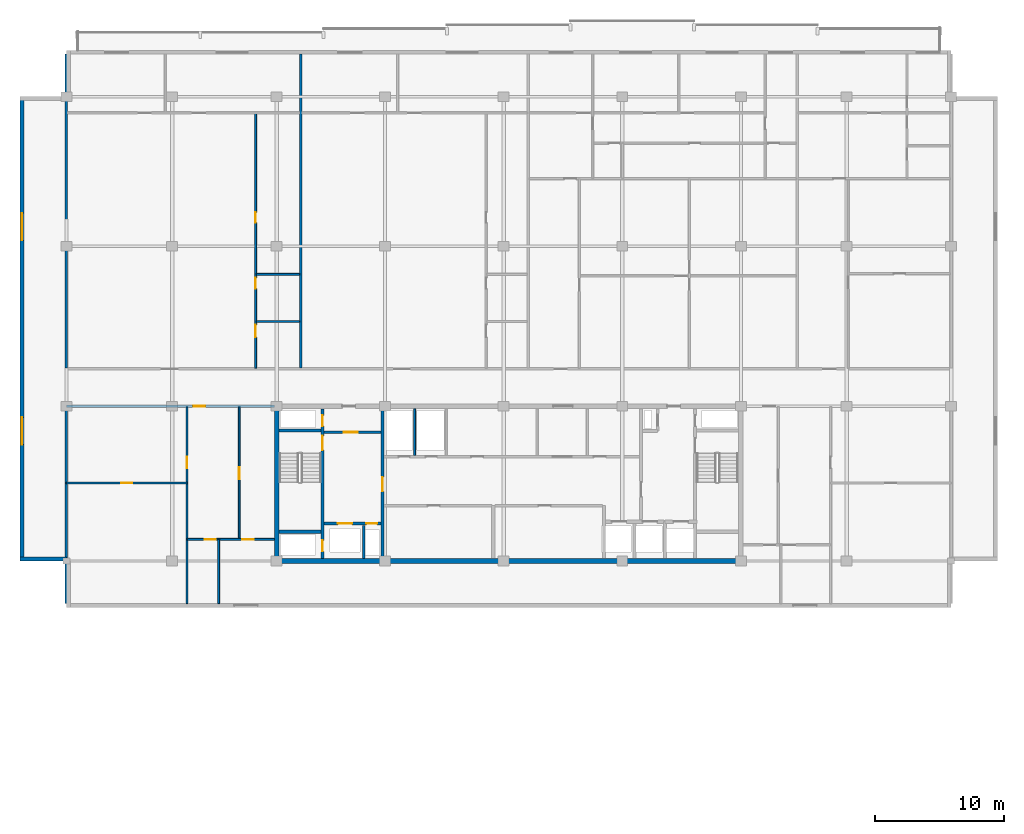
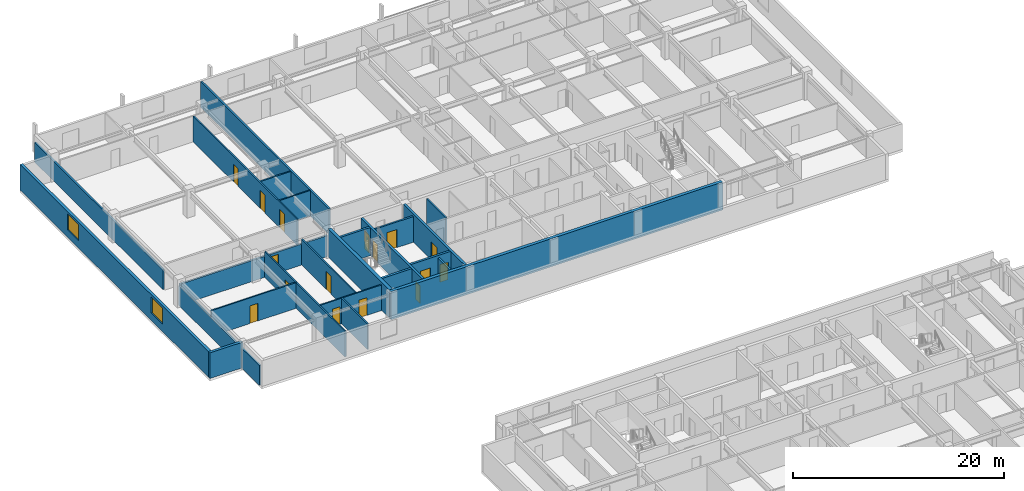
# One storey, part 11 of 22: 24 walls, 16 doors, 2 windows, 18 openings.
"""IFC4 building model written with IfcOpenShell, lengths in metres."""

from ifc_helpers import new_model, si_unit, direction, frame, frame_2d, origin, place, context, subcontext, project, spatial, rectangle, extrude, material, layer, layer_set, type_object, element, fill, save


model = new_model("IFC4")

# Units and contexts
model_context = context("Model", 3, precision=1e-05, world=origin(), true_north=direction((0.0, 1.0)))
body_context = subcontext(model_context, "Body", "Model", "MODEL_VIEW")
ifc_project = project(units=[si_unit("LENGTHUNIT", "METRE"), si_unit("AREAUNIT", "SQUARE_METRE"), si_unit("VOLUMEUNIT", "CUBIC_METRE"), si_unit("PLANEANGLEUNIT", "RADIAN"), si_unit("MASSUNIT", "GRAM", prefix="KILO")], contexts=[model_context])

# Site, building, storey
site_placement = place(None, origin())
site = spatial("IfcSite", under=ifc_project, at=site_placement, CompositionType="ELEMENT")
building_placement = place(site_placement, origin())
building = spatial("IfcBuilding", under=site, at=building_placement, Name="Korimba Cascade Residences", CompositionType="ELEMENT")
storey_placement = place(building_placement, frame((0.0, 0.0, 197.85009765625)))
storey = spatial("IfcBuildingStorey", under=building, at=storey_placement, Name="L57", CompositionType="ELEMENT", Elevation=197.85009765625)

# Wall, openings, windows
ifc_material_1 = material(Name="Precast concrete C40/50", Category="concrete")
ifc_layer_1 = layer(ifc_material_1, 0.300048828125)
ifc_layer_set_1 = layer_set([ifc_layer_1], Name="Precast concrete C40/50")
wall_type_1 = type_object("IfcWallType", Name="EW-STONE-300", PredefinedType="STANDARD", material=ifc_layer_set_1)
wall_1_placement = place(storey_placement, frame((56.35009765625, 91.199951171875, 0.0), z_axis=(0.0, 0.0, 1.0), x_axis=(0.0, -1.0, 0.0)))
wall_1 = element("IfcWall", 1, at=wall_1_placement, inside=storey, type_object=wall_type_1, Name="L57 T1 Perimeter Stone Wall E09", PredefinedType="STANDARD", context=body_context, shape_type="SweptSolid", body=[
    extrude(rectangle(XDim=36.0, YDim=0.300048828125, at=frame_2d((18.0, 0.0))), origin(), (0.0, 0.0, 1.0), 2.969970703125),
])
opening_1_placement = place(wall_1_placement, frame((9.030029296875, 0.0, 0.85009765625)))
opening_1 = element("IfcOpeningElement", 2, at=opening_1_placement, cuts=wall_1, Name="Opening W-03", PredefinedType="OPENING", context=body_context, shape_type="SweptSolid", body=[
    extrude(rectangle(XDim=2.10009765625, YDim=1.85009765625, at=frame_2d((1.050048828125, 0.925048828125))), frame((0.0, 0.16015625, 0.0), z_axis=(0.0, -1.0, 0.0), x_axis=(1.0, 0.0, 0.0)), (0.0, 0.0, 1.0), 0.320068359375),
])
opening_2_placement = place(wall_1_placement, frame((24.8701171875, 0.0, 0.85009765625)))
opening_2 = element("IfcOpeningElement", 3, at=opening_2_placement, cuts=wall_1, Name="Opening W-03", PredefinedType="OPENING", context=body_context, shape_type="SweptSolid", body=[
    extrude(rectangle(XDim=2.10009765625, YDim=1.85009765625, at=frame_2d((1.050048828125, 0.925048828125))), frame((0.0, 0.16015625, 0.0), z_axis=(0.0, -1.0, 0.0), x_axis=(1.0, 0.0, 0.0)), (0.0, 0.0, 1.0), 0.320068359375),
])
ifc_material_2 = material(Name="Double-Glazed Aluminium Window", Category="aluminium")
window_type = type_object("IfcWindowType", Name="WIN-CRN-2100", PartitioningType="DOUBLE_PANEL_HORIZONTAL", PredefinedType="WINDOW", material=ifc_material_2)
window_1_placement = place(opening_1_placement, origin())
window_1 = element("IfcWindow", 4, at=window_1_placement, inside=storey, type_object=window_type, Name="L57 T1 End View Window 9.1", OverallHeight=1.85009765625, OverallWidth=2.10009765625, PartitioningType="DOUBLE_PANEL_HORIZONTAL", PredefinedType="WINDOW", context=body_context, shape_type="SweptSolid", body=[
    extrude(rectangle(XDim=2.10009765625, YDim=1.85009765625, at=frame_2d((1.050048828125, 0.925048828125))), frame((0.0, 0.030029296875, 0.0), z_axis=(0.0, -1.0, 0.0), x_axis=(1.0, 0.0, 0.0)), (0.0, 0.0, 1.0), 0.06005859375),
])
fill(opening_1, window_1)
window_2_placement = place(opening_2_placement, origin())
window_2 = element("IfcWindow", 5, at=window_2_placement, inside=storey, type_object=window_type, Name="L57 T1 End View Window 9.2", OverallHeight=1.85009765625, OverallWidth=2.10009765625, PartitioningType="DOUBLE_PANEL_HORIZONTAL", PredefinedType="WINDOW", context=body_context, shape_type="SweptSolid", body=[
    extrude(rectangle(XDim=2.10009765625, YDim=1.85009765625, at=frame_2d((1.050048828125, 0.925048828125))), frame((0.0, 0.030029296875, 0.0), z_axis=(0.0, -1.0, 0.0), x_axis=(1.0, 0.0, 0.0)), (0.0, 0.0, 1.0), 0.06005859375),
])
fill(opening_2, window_2)

# Walls
wall_2_placement = place(storey_placement, frame((56.199951171875, 55.35009765625, 0.0), z_axis=(0.0, 0.0, 1.0), x_axis=(1.0, 0.0, 0.0)))
element("IfcWall", 6, at=wall_2_placement, inside=storey, type_object=wall_type_1, Name="L57 T1 Perimeter Stone Wall E10", PredefinedType="STANDARD", context=body_context, shape_type="SweptSolid", body=[
    extrude(rectangle(XDim=3.60009765625, YDim=0.300048828125, at=frame_2d((1.800048828125, 0.0))), origin(), (0.0, 0.0, 1.0), 2.969970703125),
])
ifc_material_3 = material(Name="Concrete C65/80", Category="concrete")
ifc_layer_2 = layer(ifc_material_3, 0.35009765625)
ifc_layer_set_2 = layer_set([ifc_layer_2], Name="Concrete C65/80")
wall_type_2 = type_object("IfcWallType", Name="WAL-CORE-350", PredefinedType="SHEAR", material=ifc_layer_set_2)
wall_3_placement = place(storey_placement, frame((75.949951171875, 55.199951171875, 0.0), z_axis=(0.0, 0.0, 1.0), x_axis=(1.0, 0.0, 0.0)))
element("IfcWall", 7, at=wall_3_placement, inside=storey, type_object=wall_type_2, Name="L57 Core Shear Wall CW-L57-T1-S", PredefinedType="SHEAR", context=body_context, shape_type="SweptSolid", body=[
    extrude(rectangle(XDim=36.300048828125, YDim=0.35009765625, at=frame_2d((18.14990234375, 0.0))), origin(), (0.0, 0.0, 1.0), 3.25),
])
wall_4_placement = place(storey_placement, frame((76.125, 55.375, 0.0), z_axis=(0.0, 0.0, 1.0), x_axis=(0.0, 1.0, 0.0)))
element("IfcWall", 8, at=wall_4_placement, inside=storey, type_object=wall_type_2, Name="L57 Core Shear Wall CW-L57-T1-W", PredefinedType="SHEAR", context=body_context, shape_type="SweptSolid", body=[
    extrude(rectangle(XDim=11.64990234375, YDim=0.35009765625, at=frame_2d((5.824951171875, 0.0))), origin(), (0.0, 0.0, 1.0), 3.25),
])
ifc_layer_3 = layer(ifc_material_1, 0.199951171875)
ifc_layer_set_3 = layer_set([ifc_layer_3], Name="Precast concrete C40/50")
wall_type_3 = type_object("IfcWallType", Name="WAL-IT-200", PredefinedType="PARTITIONING", material=ifc_layer_set_3)
wall_5_placement = place(storey_placement, frame((59.800048828125, 51.89990234375, 0.0), z_axis=(0.0, 0.0, 1.0), x_axis=(0.0, 1.0, 0.0)))
element("IfcWall", 9, at=wall_5_placement, inside=storey, type_object=wall_type_3, Name="L57 Partition Wall WAL-L57-T1-FW-WL", PredefinedType="PARTITIONING", context=body_context, shape_type="SweptSolid", body=[
    extrude(rectangle(XDim=15.300048828125, YDim=0.199951171875, at=frame_2d((7.64990234375, 0.0))), origin(), (0.0, 0.0, 1.0), 2.277099609375),
])

# Wall, opening, door
wall_6_placement = place(storey_placement, frame((59.800048828125, 67.199951171875, 0.0), z_axis=(0.0, 0.0, 1.0), x_axis=(1.0, 0.0, 0.0)))
wall_6 = element("IfcWall", 10, at=wall_6_placement, inside=storey, type_object=wall_type_3, Name="L57 Partition Wall WAL-L57-T1-FW-N", PredefinedType="PARTITIONING", context=body_context, shape_type="SweptSolid", body=[
    extrude(rectangle(XDim=16.14990234375, YDim=0.199951171875, at=frame_2d((8.074951171875, 0.0))), origin(), (0.0, 0.0, 1.0), 2.43310546875),
])
opening_3_placement = place(wall_6_placement, frame((9.823486328125, 0.0, 0.0)))
opening_3 = element("IfcOpeningElement", 11, at=opening_3_placement, cuts=wall_6, Name="Opening D-UN1", PredefinedType="OPENING", context=body_context, shape_type="SweptSolid", body=[
    extrude(rectangle(XDim=0.949951171875, YDim=2.14990234375, at=frame_2d((0.47509765625, 1.074951171875))), frame((0.0, 0.10986328125, 0.0), z_axis=(0.0, -1.0, 0.0), x_axis=(1.0, 0.0, 0.0)), (0.0, 0.0, 1.0), 0.219970703125),
])
ifc_material_4 = material(Name="Fire-Rated Hardwood Apartment Entrance Door", Category="wood")
door_type_1 = type_object("IfcDoorType", Name="DR-FD60-950", OperationType="NOTDEFINED", PredefinedType="DOOR", material=ifc_material_4)
door_1_placement = place(opening_3_placement, origin())
door_1 = element("IfcDoor", 12, at=door_1_placement, inside=storey, type_object=door_type_1, Name="L57-T1-FW Entrance Door", OperationType="SINGLE_SWING_LEFT", OverallHeight=2.14990234375, OverallWidth=0.949951171875, PredefinedType="DOOR", context=body_context, shape_type="SweptSolid", body=[
    extrude(rectangle(XDim=0.949951171875, YDim=2.14990234375, at=frame_2d((0.47509765625, 1.074951171875))), frame((0.0, 0.02490234375, 0.0), z_axis=(0.0, -1.0, 0.0), x_axis=(1.0, 0.0, 0.0)), (0.0, 0.0, 1.0), 0.050048828125),
])
fill(opening_3, door_1)

# Walls
wall_7_placement = place(storey_placement, frame((59.800048828125, 70.179931640625, 0.0), z_axis=(0.0, 0.0, 1.0), x_axis=(0.0, 1.0, 0.0)))
element("IfcWall", 13, at=wall_7_placement, inside=storey, type_object=wall_type_3, Name="L57 Partition Wall WAL-L57-T1-BNDWL", PredefinedType="PARTITIONING", context=body_context, shape_type="SweptSolid", body=[
    extrude(rectangle(XDim=24.320068359375, YDim=0.199951171875, at=frame_2d((12.16015625, 0.0))), origin(), (0.0, 0.0, 1.0), 2.277099609375),
])
wall_8_placement = place(storey_placement, frame((77.96826171875, 70.179931640625, 0.0), z_axis=(0.0, 0.0, 1.0), x_axis=(0.0, 1.0, 0.0)))
element("IfcWall", 14, at=wall_8_placement, inside=storey, type_object=wall_type_3, Name="L57 Partition Wall WAL-L57-T1-DEM-1", PredefinedType="PARTITIONING", context=body_context, shape_type="SweptSolid", body=[
    extrude(rectangle(XDim=24.320068359375, YDim=0.199951171875, at=frame_2d((12.16015625, 0.0))), origin(), (0.0, 0.0, 1.0), 2.969970703125),
])
ifc_material_5 = material(Name="Insulated Acoustic Stud Partition", Category="gypsum")
ifc_layer_4 = layer(ifc_material_5, 0.14990234375)
ifc_layer_set_4 = layer_set([ifc_layer_4], Name="Insulated Acoustic Stud Partition")
wall_type_4 = type_object("IfcWallType", Name="WAL-PART-150", PredefinedType="PARTITIONING", material=ifc_layer_set_4)
wall_9_placement = place(storey_placement, frame((86.800048828125, 63.39990234375, 0.0), z_axis=(0.0, 0.0, 1.0), x_axis=(0.0, 1.0, 0.0)))
element("IfcWall", 15, at=wall_9_placement, inside=storey, type_object=wall_type_4, Name="L57 Partition Wall CW-L57-T1-ERDIV", PredefinedType="PARTITIONING", context=body_context, shape_type="SweptSolid", body=[
    extrude(rectangle(XDim=3.60009765625, YDim=0.14990234375, at=frame_2d((1.800048828125, 0.0))), origin(), (0.0, 0.0, 1.0), 2.969970703125),
])

# Wall, opening, door
wall_10_placement = place(storey_placement, frame((59.800048828125, 61.25, 0.0), z_axis=(0.0, 0.0, 1.0), x_axis=(1.0, 0.0, 0.0)))
wall_10 = element("IfcWall", 16, at=wall_10_placement, inside=storey, type_object=wall_type_4, Name="L57 Partition Wall WAL-L57-T1-FW-STH", PredefinedType="PARTITIONING", context=body_context, shape_type="SweptSolid", body=[
    extrude(rectangle(XDim=9.349853515625, YDim=0.14990234375, at=frame_2d((4.6748046875, 0.0))), origin(), (0.0, 0.0, 1.0), 2.969970703125),
])
opening_4_placement = place(wall_10_placement, frame((4.2548828125, 0.0, 0.0)))
opening_4 = element("IfcOpeningElement", 17, at=opening_4_placement, cuts=wall_10, Name="Opening D-BT1", PredefinedType="OPENING", context=body_context, shape_type="SweptSolid", body=[
    extrude(rectangle(XDim=0.840087890625, YDim=2.0400390625, at=frame_2d((0.419921875, 1.02001953125))), frame((0.0, 0.0849609375, 0.0), z_axis=(0.0, -1.0, 0.0), x_axis=(1.0, 0.0, 0.0)), (0.0, 0.0, 1.0), 0.169921875),
])
ifc_material_6 = material(Name="Moisture-Resistant Bathroom Timber Door", Category="wood")
door_type_2 = type_object("IfcDoorType", Name="DR-INT-850", OperationType="NOTDEFINED", PredefinedType="DOOR", material=ifc_material_6)
door_2_placement = place(opening_4_placement, origin())
door_2 = element("IfcDoor", 18, at=door_2_placement, inside=storey, type_object=door_type_2, Name="L57-T1-FW Dressing Store Door", OperationType="SINGLE_SWING_RIGHT", OverallHeight=2.0400390625, OverallWidth=0.840087890625, PredefinedType="DOOR", context=body_context, shape_type="SweptSolid", body=[
    extrude(rectangle(XDim=0.840087890625, YDim=2.0400390625, at=frame_2d((0.419921875, 1.02001953125))), frame((0.0, 0.02490234375, 0.0), z_axis=(0.0, -1.0, 0.0), x_axis=(1.0, 0.0, 0.0)), (0.0, 0.0, 1.0), 0.050048828125),
])
fill(opening_4, door_2)

wall_11_placement = place(storey_placement, frame((69.14990234375, 51.89990234375, 0.0), z_axis=(0.0, 0.0, 1.0), x_axis=(0.0, 1.0, 0.0)))
wall_11 = element("IfcWall", 19, at=wall_11_placement, inside=storey, type_object=wall_type_4, Name="L57 Partition Wall WAL-L57-T1-FW-STV", PredefinedType="PARTITIONING", context=body_context, shape_type="SweptSolid", body=[
    extrude(rectangle(XDim=15.25, YDim=0.14990234375, at=frame_2d((7.625, 0.0))), origin(), (0.0, 0.0, 1.0), 2.969970703125),
])
opening_5_placement = place(wall_11_placement, frame((10.5, 0.0, 0.0)))
opening_5 = element("IfcOpeningElement", 20, at=opening_5_placement, cuts=wall_11, Name="Opening D-IN2", PredefinedType="OPENING", context=body_context, shape_type="SweptSolid", body=[
    extrude(rectangle(XDim=0.8798828125, YDim=2.06005859375, at=frame_2d((0.43994140625, 1.030029296875))), frame((0.0, 0.0849609375, 0.0), z_axis=(0.0, -1.0, 0.0), x_axis=(1.0, 0.0, 0.0)), (0.0, 0.0, 1.0), 0.169921875),
])
ifc_material_7 = material(Name="Acoustic Timber Bedroom Door", Category="wood")
door_type_3 = type_object("IfcDoorType", Name="DR-INT-880", OperationType="NOTDEFINED", PredefinedType="DOOR", material=ifc_material_7)
door_3_placement = place(opening_5_placement, origin())
door_3 = element("IfcDoor", 21, at=door_3_placement, inside=storey, type_object=door_type_3, Name="L57-T1-FW Study Door", OperationType="SINGLE_SWING_LEFT", OverallHeight=2.06005859375, OverallWidth=0.8798828125, PredefinedType="DOOR", context=body_context, shape_type="SweptSolid", body=[
    extrude(rectangle(XDim=0.8798828125, YDim=2.06005859375, at=frame_2d((0.43994140625, 1.030029296875))), frame((0.0, 0.02490234375, 0.0), z_axis=(0.0, -1.0, 0.0), x_axis=(1.0, 0.0, 0.0)), (0.0, 0.0, 1.0), 0.050048828125),
])
fill(opening_5, door_3)

wall_12_placement = place(storey_placement, frame((73.199951171875, 56.8701171875, 0.0), z_axis=(0.0, 0.0, 1.0), x_axis=(0.0, 1.0, 0.0)))
wall_12 = element("IfcWall", 22, at=wall_12_placement, inside=storey, type_object=wall_type_4, Name="L57 Partition Wall WAL-L57-T1-FW-VN", PredefinedType="PARTITIONING", context=body_context, shape_type="SweptSolid", body=[
    extrude(rectangle(XDim=10.27978515625, YDim=0.14990234375, at=frame_2d((5.139892578125, 0.0))), origin(), (0.0, 0.0, 1.0), 2.969970703125),
])
opening_6_placement = place(wall_12_placement, frame((4.679931640625, 0.0, 0.0)))
opening_6 = element("IfcOpeningElement", 23, at=opening_6_placement, cuts=wall_12, Name="Opening D-IN1", PredefinedType="OPENING", context=body_context, shape_type="SweptSolid", body=[
    extrude(rectangle(XDim=0.919921875, YDim=2.080078125, at=frame_2d((0.4599609375, 1.0400390625))), frame((0.0, 0.0849609375, 0.0), z_axis=(0.0, -1.0, 0.0), x_axis=(1.0, 0.0, 0.0)), (0.0, 0.0, 1.0), 0.169921875),
])
ifc_material_8 = material(Name="Acoustic Timber Living Door", Category="wood")
door_type_4 = type_object("IfcDoorType", Name="DR-INT-920", OperationType="NOTDEFINED", PredefinedType="DOOR", material=ifc_material_8)
door_4_placement = place(opening_6_placement, origin())
door_4 = element("IfcDoor", 24, at=door_4_placement, inside=storey, type_object=door_type_4, Name="L57-T1-FW Living Door", OperationType="SINGLE_SWING_RIGHT", OverallHeight=2.080078125, OverallWidth=0.919921875, PredefinedType="DOOR", context=body_context, shape_type="SweptSolid", body=[
    extrude(rectangle(XDim=0.919921875, YDim=2.080078125, at=frame_2d((0.4599609375, 1.0400390625))), frame((0.0, 0.02490234375, 0.0), z_axis=(0.0, -1.0, 0.0), x_axis=(1.0, 0.0, 0.0)), (0.0, 0.0, 1.0), 0.050048828125),
])
fill(opening_6, door_4)

# Wall
wall_13_placement = place(storey_placement, frame((71.60009765625, 51.89990234375, 0.0), z_axis=(0.0, 0.0, 1.0), x_axis=(0.0, 1.0, 0.0)))
element("IfcWall", 25, at=wall_13_placement, inside=storey, type_object=wall_type_4, Name="L57 Partition Wall WAL-L57-T1-FW-VS", PredefinedType="PARTITIONING", context=body_context, shape_type="SweptSolid", body=[
    extrude(rectangle(XDim=4.97021484375, YDim=0.14990234375, at=frame_2d((2.485107421875, 0.0))), origin(), (0.0, 0.0, 1.0), 2.969970703125),
])

# Wall, openings, doors
wall_14_placement = place(storey_placement, frame((69.169921875, 56.8701171875, 0.0), z_axis=(0.0, 0.0, 1.0), x_axis=(1.0, 0.0, 0.0)))
wall_14 = element("IfcWall", 26, at=wall_14_placement, inside=storey, type_object=wall_type_4, Name="L57 Partition Wall WAL-L57-T1-FW-H", PredefinedType="PARTITIONING", context=body_context, shape_type="SweptSolid", body=[
    extrude(rectangle(XDim=6.760009765625, YDim=0.14990234375, at=frame_2d((3.3798828125, 0.0))), origin(), (0.0, 0.0, 1.0), 2.969970703125),
])
opening_7_placement = place(wall_14_placement, frame((1.3623046875, 0.0, 0.0)))
opening_7 = element("IfcOpeningElement", 27, at=opening_7_placement, cuts=wall_14, Name="Opening D-BT1", PredefinedType="OPENING", context=body_context, shape_type="SweptSolid", body=[
    extrude(rectangle(XDim=0.840087890625, YDim=2.0400390625, at=frame_2d((0.419921875, 1.02001953125))), frame((0.0, 0.0849609375, 0.0), z_axis=(0.0, -1.0, 0.0), x_axis=(1.0, 0.0, 0.0)), (0.0, 0.0, 1.0), 0.169921875),
])
opening_8_placement = place(wall_14_placement, frame((4.276611328125, 0.0, 0.0)))
opening_8 = element("IfcOpeningElement", 28, at=opening_8_placement, cuts=wall_14, Name="Opening D-IN2", PredefinedType="OPENING", context=body_context, shape_type="SweptSolid", body=[
    extrude(rectangle(XDim=0.8798828125, YDim=2.06005859375, at=frame_2d((0.43994140625, 1.030029296875))), frame((0.0, 0.0849609375, 0.0), z_axis=(0.0, -1.0, 0.0), x_axis=(1.0, 0.0, 0.0)), (0.0, 0.0, 1.0), 0.169921875),
])
door_5_placement = place(opening_7_placement, origin())
door_5 = element("IfcDoor", 29, at=door_5_placement, inside=storey, type_object=door_type_2, Name="L57-T1-FW Bathroom Door", OperationType="SINGLE_SWING_LEFT", OverallHeight=2.0400390625, OverallWidth=0.840087890625, PredefinedType="DOOR", context=body_context, shape_type="SweptSolid", body=[
    extrude(rectangle(XDim=0.840087890625, YDim=2.0400390625, at=frame_2d((0.419921875, 1.02001953125))), frame((0.0, 0.02490234375, 0.0), z_axis=(0.0, -1.0, 0.0), x_axis=(1.0, 0.0, 0.0)), (0.0, 0.0, 1.0), 0.050048828125),
])
fill(opening_7, door_5)
door_6_placement = place(opening_8_placement, origin())
door_6 = element("IfcDoor", 30, at=door_6_placement, inside=storey, type_object=door_type_3, Name="L57-T1-FW Bedroom Door", OperationType="SINGLE_SWING_RIGHT", OverallHeight=2.06005859375, OverallWidth=0.8798828125, PredefinedType="DOOR", context=body_context, shape_type="SweptSolid", body=[
    extrude(rectangle(XDim=0.8798828125, YDim=2.06005859375, at=frame_2d((0.43994140625, 1.030029296875))), frame((0.0, 0.02490234375, 0.0), z_axis=(0.0, -1.0, 0.0), x_axis=(1.0, 0.0, 0.0)), (0.0, 0.0, 1.0), 0.050048828125),
])
fill(opening_8, door_6)

# Walls
for number, where, z_axis, x_axis, name in (
    (31, (74.5283203125, 73.77001953125, 0.0), (0.0, 0.0, 1.0), (1.0, 0.0, 0.0), "L57 Partition Wall WAL-L57-T1-U01-WCH"),
    (32, (74.5283203125, 77.419921875, 0.0), (0.0, 0.0, 1.0), (1.0, 0.0, 0.0), "L57 Partition Wall WAL-L57-T1-U01-WCH2"),
):
    element("IfcWall", number, at=place(storey_placement, frame(where, z_axis=z_axis, x_axis=x_axis)), inside=storey, type_object=wall_type_4, Name=name, PredefinedType="PARTITIONING", context=body_context, shape_type="SweptSolid", body=[
        extrude(rectangle(XDim=3.35986328125, YDim=0.14990234375, at=frame_2d((1.679931640625, 0.0))), origin(), (0.0, 0.0, 1.0), 2.969970703125),
    ])

# Wall, openings, doors
wall_15_placement = place(storey_placement, frame((74.46826171875, 70.159912109375, 0.0), z_axis=(0.0, 0.0, 1.0), x_axis=(0.0, 1.0, 0.0)))
wall_15 = element("IfcWall", 33, at=wall_15_placement, inside=storey, type_object=wall_type_4, Name="L57 Partition Wall WAL-L57-T1-U01-WCV", PredefinedType="PARTITIONING", context=body_context, shape_type="SweptSolid", body=[
    extrude(rectangle(XDim=19.72998046875, YDim=0.14990234375, at=frame_2d((9.864990234375, 0.0))), origin(), (0.0, 0.0, 1.0), 2.969970703125),
])
opening_9_placement = place(wall_15_placement, frame((2.406005859375, 0.0, 0.0)))
opening_9 = element("IfcOpeningElement", 34, at=opening_9_placement, cuts=wall_15, Name="Opening D-AC1", PredefinedType="OPENING", context=body_context, shape_type="SweptSolid", body=[
    extrude(rectangle(XDim=0.9599609375, YDim=2.10009765625, at=frame_2d((0.47998046875, 1.050048828125))), frame((0.0, 0.0849609375, 0.0), z_axis=(0.0, -1.0, 0.0), x_axis=(1.0, 0.0, 0.0)), (0.0, 0.0, 1.0), 0.169921875),
])
opening_10_placement = place(wall_15_placement, frame((6.132568359375, 0.0, 0.0)))
opening_10 = element("IfcOpeningElement", 35, at=opening_10_placement, cuts=wall_15, Name="Opening D-IN2", PredefinedType="OPENING", context=body_context, shape_type="SweptSolid", body=[
    extrude(rectangle(XDim=0.8798828125, YDim=2.06005859375, at=frame_2d((0.43994140625, 1.030029296875))), frame((0.0, 0.0849609375, 0.0), z_axis=(0.0, -1.0, 0.0), x_axis=(1.0, 0.0, 0.0)), (0.0, 0.0, 1.0), 0.169921875),
])
opening_11_placement = place(wall_15_placement, frame((11.2578125, 0.0, 0.0)))
opening_11 = element("IfcOpeningElement", 36, at=opening_11_placement, cuts=wall_15, Name="Opening D-BT1", PredefinedType="OPENING", context=body_context, shape_type="SweptSolid", body=[
    extrude(rectangle(XDim=0.840087890625, YDim=2.0400390625, at=frame_2d((0.419921875, 1.02001953125))), frame((0.0, 0.0849609375, 0.0), z_axis=(0.0, -1.0, 0.0), x_axis=(1.0, 0.0, 0.0)), (0.0, 0.0, 1.0), 0.169921875),
])
ifc_material_9 = material(Name="Accessible Acoustic Timber WC Door", Category="wood")
door_type_5 = type_object("IfcDoorType", Name="DR-ACC-950", OperationType="NOTDEFINED", PredefinedType="DOOR", material=ifc_material_9)
door_7_placement = place(opening_9_placement, origin())
door_7 = element("IfcDoor", 37, at=door_7_placement, inside=storey, type_object=door_type_5, Name="L57-T1-U01 Accessible WC Door", OperationType="SINGLE_SWING_RIGHT", OverallHeight=2.10009765625, OverallWidth=0.9599609375, PredefinedType="DOOR", context=body_context, shape_type="SweptSolid", body=[
    extrude(rectangle(XDim=0.9599609375, YDim=2.10009765625, at=frame_2d((0.47998046875, 1.050048828125))), frame((0.0, 0.02490234375, 0.0), z_axis=(0.0, -1.0, 0.0), x_axis=(1.0, 0.0, 0.0)), (0.0, 0.0, 1.0), 0.050048828125),
])
fill(opening_9, door_7)
door_8_placement = place(opening_11_placement, origin())
door_8 = element("IfcDoor", 38, at=door_8_placement, inside=storey, type_object=door_type_2, Name="L57-T1-U01 Suite Store Door", OperationType="SINGLE_SWING_RIGHT", OverallHeight=2.0400390625, OverallWidth=0.840087890625, PredefinedType="DOOR", context=body_context, shape_type="SweptSolid", body=[
    extrude(rectangle(XDim=0.840087890625, YDim=2.0400390625, at=frame_2d((0.419921875, 1.02001953125))), frame((0.0, 0.02490234375, 0.0), z_axis=(0.0, -1.0, 0.0), x_axis=(1.0, 0.0, 0.0)), (0.0, 0.0, 1.0), 0.050048828125),
])
fill(opening_11, door_8)
door_9_placement = place(opening_10_placement, origin())
door_9 = element("IfcDoor", 39, at=door_9_placement, inside=storey, type_object=door_type_3, Name="L57-T1-U01 Restroom WC Door", OperationType="SINGLE_SWING_LEFT", OverallHeight=2.06005859375, OverallWidth=0.8798828125, PredefinedType="DOOR", context=body_context, shape_type="SweptSolid", body=[
    extrude(rectangle(XDim=0.8798828125, YDim=2.06005859375, at=frame_2d((0.43994140625, 1.030029296875))), frame((0.0, 0.02490234375, 0.0), z_axis=(0.0, -1.0, 0.0), x_axis=(1.0, 0.0, 0.0)), (0.0, 0.0, 1.0), 0.050048828125),
])
fill(opening_10, door_9)

# Wall
ifc_material_10 = material(Name="Concrete C40/50", Category="concrete")
ifc_layer_5 = layer(ifc_material_10, 0.199951171875)
ifc_layer_set_5 = layer_set([ifc_layer_5], Name="Concrete C40/50")
wall_type_5 = type_object("IfcWallType", Name="WAL-PART-200", PredefinedType="PARTITIONING", material=ifc_layer_set_5)
wall_16_placement = place(storey_placement, frame((82.85009765625, 55.39990234375, 0.0), z_axis=(0.0, 0.0, 1.0), x_axis=(0.0, 1.0, 0.0)))
element("IfcWall", 40, at=wall_16_placement, inside=storey, type_object=wall_type_5, Name="L57 Partition Wall CW-L57-T1-FFLDIV", PredefinedType="PARTITIONING", context=body_context, shape_type="SweptSolid", body=[
    extrude(rectangle(XDim=2.56005859375, YDim=0.199951171875, at=frame_2d((1.280029296875, 0.0))), origin(), (0.0, 0.0, 1.0), 2.969970703125),
])

# Wall, opening, door
wall_17_placement = place(storey_placement, frame((79.7900390625, 65.179931640625, 0.0), z_axis=(0.0, 0.0, 1.0), x_axis=(1.0, 0.0, 0.0)))
wall_17 = element("IfcWall", 41, at=wall_17_placement, inside=storey, type_object=wall_type_5, Name="L57 Partition Wall CW-L57-T1-FFLN", PredefinedType="PARTITIONING", context=body_context, shape_type="SweptSolid", body=[
    extrude(rectangle(XDim=4.389892578125, YDim=0.199951171875, at=frame_2d((2.19482421875, 0.0))), origin(), (0.0, 0.0, 1.0), 2.969970703125),
])
opening_12_placement = place(wall_17_placement, frame((1.5, 0.0, 0.0)))
opening_12 = element("IfcOpeningElement", 42, at=opening_12_placement, cuts=wall_17, Name="Opening D-FD1", PredefinedType="OPENING", context=body_context, shape_type="SweptSolid", body=[
    extrude(rectangle(XDim=1.10009765625, YDim=2.10009765625, at=frame_2d((0.550048828125, 1.050048828125))), frame((0.0, 0.10986328125, 0.0), z_axis=(0.0, -1.0, 0.0), x_axis=(1.0, 0.0, 0.0)), (0.0, 0.0, 1.0), 0.219970703125),
])
ifc_material_11 = material(Name="Fire-Rated Steel Core Door", Category="steel")
door_type_6 = type_object("IfcDoorType", Name="DR-FD120-1100", OperationType="NOTDEFINED", PredefinedType="DOOR", material=ifc_material_11)
door_10_placement = place(opening_12_placement, origin())
door_10 = element("IfcDoor", 43, at=door_10_placement, inside=storey, type_object=door_type_6, Name="L57 West Firefighting Lobby Door", OperationType="SINGLE_SWING_RIGHT", OverallHeight=2.10009765625, OverallWidth=1.10009765625, PredefinedType="DOOR", context=body_context, shape_type="SweptSolid", body=[
    extrude(rectangle(XDim=1.10009765625, YDim=2.10009765625, at=frame_2d((0.550048828125, 1.050048828125))), frame((0.0, 0.02490234375, 0.0), z_axis=(0.0, -1.0, 0.0), x_axis=(1.0, 0.0, 0.0)), (0.0, 0.0, 1.0), 0.050048828125),
])
fill(opening_12, door_10)

# Wall, openings, doors
ifc_material_12 = material(Name="Concrete C50/60", Category="concrete")
ifc_layer_6 = layer(ifc_material_12, 0.25)
ifc_layer_set_6 = layer_set([ifc_layer_6], Name="Concrete C50/60")
wall_type_6 = type_object("IfcWallType", Name="WAL-SHAFT-250", PredefinedType="SHEAR", material=ifc_layer_set_6)
wall_18_placement = place(storey_placement, frame((79.6650390625, 55.39990234375, 0.0), z_axis=(0.0, 0.0, 1.0), x_axis=(0.0, 1.0, 0.0)))
wall_18 = element("IfcWall", 44, at=wall_18_placement, inside=storey, type_object=wall_type_6, Name="L57 Core Shear Wall CW-L57-T1-STW1E", PredefinedType="SHEAR", context=body_context, shape_type="SweptSolid", body=[
    extrude(rectangle(XDim=11.60009765625, YDim=0.25, at=frame_2d((5.800048828125, 0.0))), origin(), (0.0, 0.0, 1.0), 3.25),
])
opening_13_placement = place(wall_18_placement, frame((0.550048828125, 0.0, 0.0)))
opening_13 = element("IfcOpeningElement", 45, at=opening_13_placement, cuts=wall_18, Name="Opening D-RS1", PredefinedType="OPENING", context=body_context, shape_type="SweptSolid", body=[
    extrude(rectangle(XDim=0.85009765625, YDim=2.050048828125, at=frame_2d((0.425048828125, 1.02490234375))), frame((0.0, 0.135009765625, 0.0), z_axis=(0.0, -1.0, 0.0), x_axis=(1.0, 0.0, 0.0)), (0.0, 0.0, 1.0), 0.27001953125),
])
opening_14_placement = place(wall_18_placement, frame((8.39990234375, 0.0, 0.0)))
opening_14 = element("IfcOpeningElement", 46, at=opening_14_placement, cuts=wall_18, Name="Opening D-FD1", PredefinedType="OPENING", context=body_context, shape_type="SweptSolid", body=[
    extrude(rectangle(XDim=1.10009765625, YDim=2.10009765625, at=frame_2d((0.550048828125, 1.050048828125))), frame((0.0, 0.135009765625, 0.0), z_axis=(0.0, -1.0, 0.0), x_axis=(1.0, 0.0, 0.0)), (0.0, 0.0, 1.0), 0.27001953125),
])
opening_15_placement = place(wall_18_placement, frame((10.25, 0.0, 0.0)))
opening_15 = element("IfcOpeningElement", 47, at=opening_15_placement, cuts=wall_18, Name="Opening D-RS1", PredefinedType="OPENING", context=body_context, shape_type="SweptSolid", body=[
    extrude(rectangle(XDim=0.85009765625, YDim=2.050048828125, at=frame_2d((0.425048828125, 1.02490234375))), frame((0.0, 0.135009765625, 0.0), z_axis=(0.0, -1.0, 0.0), x_axis=(1.0, 0.0, 0.0)), (0.0, 0.0, 1.0), 0.27001953125),
])
door_11_placement = place(opening_14_placement, origin())
door_11 = element("IfcDoor", 48, at=door_11_placement, inside=storey, type_object=door_type_6, Name="L57 Fire Stair ST-W1 Door", OperationType="SINGLE_SWING_LEFT", OverallHeight=2.10009765625, OverallWidth=1.10009765625, PredefinedType="DOOR", context=body_context, shape_type="SweptSolid", body=[
    extrude(rectangle(XDim=1.10009765625, YDim=2.10009765625, at=frame_2d((0.550048828125, 1.050048828125))), frame((0.0, 0.02490234375, 0.0), z_axis=(0.0, -1.0, 0.0), x_axis=(1.0, 0.0, 0.0)), (0.0, 0.0, 1.0), 0.050048828125),
])
fill(opening_14, door_11)
ifc_material_13 = material(Name="Fire-Rated Steel Riser Access Door", Category="steel")
door_type_7 = type_object("IfcDoorType", Name="DR-FD60-850", OperationType="NOTDEFINED", PredefinedType="DOOR", material=ifc_material_13)
door_12_placement = place(opening_13_placement, origin())
door_12 = element("IfcDoor", 49, at=door_12_placement, inside=storey, type_object=door_type_7, Name="L57 Smoke Riser Access Door", OperationType="SINGLE_SWING_RIGHT", OverallHeight=2.050048828125, OverallWidth=0.85009765625, PredefinedType="DOOR", context=body_context, shape_type="SweptSolid", body=[
    extrude(rectangle(XDim=0.85009765625, YDim=2.050048828125, at=frame_2d((0.425048828125, 1.02490234375))), frame((0.0, 0.02490234375, 0.0), z_axis=(0.0, -1.0, 0.0), x_axis=(1.0, 0.0, 0.0)), (0.0, 0.0, 1.0), 0.050048828125),
])
fill(opening_13, door_12)
door_13_placement = place(opening_15_placement, origin())
door_13 = element("IfcDoor", 50, at=door_13_placement, inside=storey, type_object=door_type_7, Name="L57 Hydrant Riser Access Door", OperationType="SINGLE_SWING_RIGHT", OverallHeight=2.050048828125, OverallWidth=0.85009765625, PredefinedType="DOOR", context=body_context, shape_type="SweptSolid", body=[
    extrude(rectangle(XDim=0.85009765625, YDim=2.050048828125, at=frame_2d((0.425048828125, 1.02490234375))), frame((0.0, 0.02490234375, 0.0), z_axis=(0.0, -1.0, 0.0), x_axis=(1.0, 0.0, 0.0)), (0.0, 0.0, 1.0), 0.050048828125),
])
fill(opening_15, door_13)

# Walls
for number, where, z_axis, x_axis, name in (
    (51, (76.300048828125, 57.47509765625, 0.0), (0.0, 0.0, 1.0), (1.0, 0.0, 0.0), "L57 Core Shear Wall CW-L57-T1-STW1S"),
    (52, (76.300048828125, 65.324951171875, 0.0), (0.0, 0.0, 1.0), (1.0, 0.0, 0.0), "L57 Core Shear Wall CW-L57-T1-STW1N"),
):
    element("IfcWall", number, at=place(storey_placement, frame(where, z_axis=z_axis, x_axis=x_axis)), inside=storey, type_object=wall_type_6, Name=name, PredefinedType="SHEAR", context=body_context, shape_type="SweptSolid", body=[
        extrude(rectangle(XDim=3.239990234375, YDim=0.25, at=frame_2d((1.6201171875, 0.0))), origin(), (0.0, 0.0, 1.0), 3.25),
    ])

# Wall, openings, doors
wall_19_placement = place(storey_placement, frame((79.7900390625, 58.10009765625, 0.0), z_axis=(0.0, 0.0, 1.0), x_axis=(1.0, 0.0, 0.0)))
wall_19 = element("IfcWall", 53, at=wall_19_placement, inside=storey, type_object=wall_type_6, Name="L57 Core Shear Wall CW-L57-T1-FFLS", PredefinedType="SHEAR", context=body_context, shape_type="SweptSolid", body=[
    extrude(rectangle(XDim=4.389892578125, YDim=0.25, at=frame_2d((2.19482421875, 0.0))), origin(), (0.0, 0.0, 1.0), 3.25),
])
opening_16_placement = place(wall_19_placement, frame((1.050048828125, 0.0, 0.0)))
opening_16 = element("IfcOpeningElement", 54, at=opening_16_placement, cuts=wall_19, Name="Opening LD-01", PredefinedType="OPENING", context=body_context, shape_type="SweptSolid", body=[
    extrude(rectangle(XDim=1.1201171875, YDim=2.1201171875, at=frame_2d((0.56005859375, 1.06005859375))), frame((0.0, 0.135009765625, 0.0), z_axis=(0.0, -1.0, 0.0), x_axis=(1.0, 0.0, 0.0)), (0.0, 0.0, 1.0), 0.27001953125),
])
opening_17_placement = place(wall_19_placement, frame((3.260009765625, 0.0, 0.0)))
opening_17 = element("IfcOpeningElement", 55, at=opening_17_placement, cuts=wall_19, Name="Opening D-RS1", PredefinedType="OPENING", context=body_context, shape_type="SweptSolid", body=[
    extrude(rectangle(XDim=0.85009765625, YDim=2.050048828125, at=frame_2d((0.425048828125, 1.02490234375))), frame((0.0, 0.135009765625, 0.0), z_axis=(0.0, -1.0, 0.0), x_axis=(1.0, 0.0, 0.0)), (0.0, 0.0, 1.0), 0.27001953125),
])
door_14_placement = place(opening_17_placement, origin())
door_14 = element("IfcDoor", 56, at=door_14_placement, inside=storey, type_object=door_type_7, Name="L57 Pressurisation Riser Door", OperationType="SINGLE_SWING_LEFT", OverallHeight=2.050048828125, OverallWidth=0.85009765625, PredefinedType="DOOR", context=body_context, shape_type="SweptSolid", body=[
    extrude(rectangle(XDim=0.85009765625, YDim=2.050048828125, at=frame_2d((0.425048828125, 1.02490234375))), frame((0.0, 0.02490234375, 0.0), z_axis=(0.0, -1.0, 0.0), x_axis=(1.0, 0.0, 0.0)), (0.0, 0.0, 1.0), 0.050048828125),
])
fill(opening_17, door_14)
ifc_material_14 = material(Name="Stainless Steel Lift Landing Sliding Door", Category="steel")
door_type_8 = type_object("IfcDoorType", Name="DR-LIFT-1100", OperationType="NOTDEFINED", PredefinedType="DOOR", material=ifc_material_14)
door_15_placement = place(opening_16_placement, origin())
door_15 = element("IfcDoor", 57, at=door_15_placement, inside=storey, type_object=door_type_8, Name="L57 Firefighting Lift Landing Door FFL-W1", OperationType="SLIDING_TO_LEFT", OverallHeight=2.1201171875, OverallWidth=1.1201171875, PredefinedType="DOOR", context=body_context, shape_type="SweptSolid", body=[
    extrude(rectangle(XDim=1.1201171875, YDim=2.1201171875, at=frame_2d((0.56005859375, 1.06005859375))), frame((0.0, 0.02490234375, 0.0), z_axis=(0.0, -1.0, 0.0), x_axis=(1.0, 0.0, 0.0)), (0.0, 0.0, 1.0), 0.050048828125),
])
fill(opening_16, door_15)

# Wall, opening, door
wall_20_placement = place(storey_placement, frame((84.300048828125, 55.39990234375, 0.0), z_axis=(0.0, 0.0, 1.0), x_axis=(0.0, 1.0, 0.0)))
wall_20 = element("IfcWall", 58, at=wall_20_placement, inside=storey, type_object=wall_type_6, Name="L57 Core Shear Wall CW-L57-T1-FFLE", PredefinedType="SHEAR", context=body_context, shape_type="SweptSolid", body=[
    extrude(rectangle(XDim=11.60009765625, YDim=0.25, at=frame_2d((5.800048828125, 0.0))), origin(), (0.0, 0.0, 1.0), 3.25),
])
opening_18_placement = place(wall_20_placement, frame((5.199951171875, 0.0, 0.0)))
opening_18 = element("IfcOpeningElement", 59, at=opening_18_placement, cuts=wall_20, Name="Opening D-FD1", PredefinedType="OPENING", context=body_context, shape_type="SweptSolid", body=[
    extrude(rectangle(XDim=1.10009765625, YDim=2.10009765625, at=frame_2d((0.550048828125, 1.050048828125))), frame((0.0, 0.135009765625, 0.0), z_axis=(0.0, -1.0, 0.0), x_axis=(1.0, 0.0, 0.0)), (0.0, 0.0, 1.0), 0.27001953125),
])
door_16_placement = place(opening_18_placement, origin())
door_16 = element("IfcDoor", 60, at=door_16_placement, inside=storey, type_object=door_type_6, Name="L57 Firefighting Lobby to Lift Lobby Door", OperationType="SINGLE_SWING_LEFT", OverallHeight=2.10009765625, OverallWidth=1.10009765625, PredefinedType="DOOR", context=body_context, shape_type="SweptSolid", body=[
    extrude(rectangle(XDim=1.10009765625, YDim=2.10009765625, at=frame_2d((0.550048828125, 1.050048828125))), frame((0.0, 0.02490234375, 0.0), z_axis=(0.0, -1.0, 0.0), x_axis=(1.0, 0.0, 0.0)), (0.0, 0.0, 1.0), 0.050048828125),
])
fill(opening_18, door_16)

save(model, "model.ifc")
